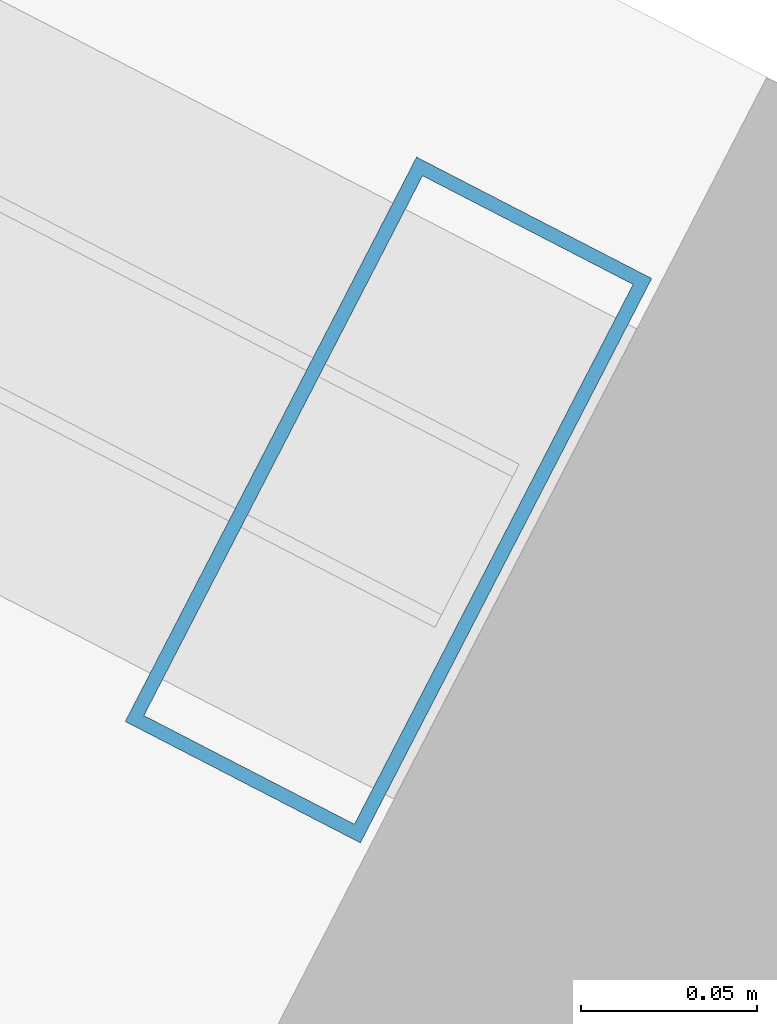
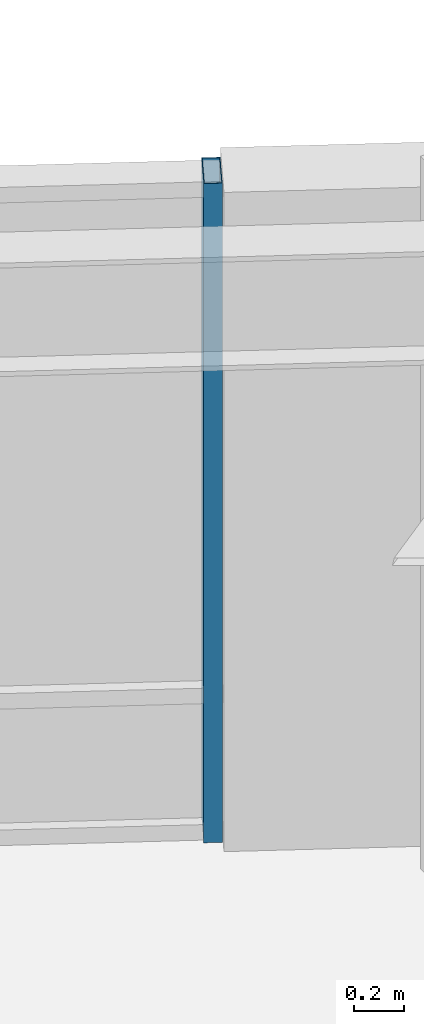
# One storey, part 5 of 12: 1 member, 1 element without a shape of its own.
"""IFC4 building model written with IfcOpenShell, lengths in metres."""

from ifc_helpers import new_model, si_unit, direction, frame, origin, origin_2d, place, context, subcontext, project, spatial, hollow_rectangle, extrude, material, layer, layer_set, material_profile, profile_set, type_object, element, aggregate, save


model = new_model("IFC4")

# Units and contexts
model_context = context("Model", 3, precision=1e-05, world=origin(), true_north=direction((0.0, 1.0)))
body_context = subcontext(model_context, "Body", "Model", "MODEL_VIEW")
ifc_project = project(units=[si_unit("LENGTHUNIT", "METRE"), si_unit("AREAUNIT", "SQUARE_METRE"), si_unit("VOLUMEUNIT", "CUBIC_METRE"), si_unit("PLANEANGLEUNIT", "RADIAN"), si_unit("MASSUNIT", "GRAM", prefix="KILO"), si_unit("THERMODYNAMICTEMPERATUREUNIT", "KELVIN"), si_unit("POWERUNIT", "WATT")], contexts=[model_context])

# Site, building, storey
site_placement = place(None, origin())
site = spatial("IfcSite", under=ifc_project, at=site_placement, CompositionType="ELEMENT")
building_placement = place(site_placement, origin())
building = spatial("IfcBuilding", under=site, at=building_placement, Name="Skarre Station Tower", CompositionType="ELEMENT")
storey_placement = place(building_placement, frame((0.0, 0.0, 163.64990234375)))
storey = spatial("IfcBuildingStorey", under=building, at=storey_placement, Name="L44", CompositionType="ELEMENT", Elevation=163.64990234375)

# Curtain wall, member
ifc_material_1 = material(Name="Thermally Broken Bronze-Anodized Aluminium & Triple Low-E Glass", Category="aluminium")
ifc_layer = layer(ifc_material_1, 0.18994140625, Name="Thermally Broken Bronze-Anodized Aluminium & Triple Low-E Glass")
ifc_layer_set = layer_set([ifc_layer], Name="Thermally Broken Bronze-Anodized Aluminium & Triple Low-E Glass")
curtain_wall_type = type_object("IfcCurtainWallType", Name="Sky-Garden Setback Conservatory Curtain Wall", PredefinedType="NOTDEFINED", material=ifc_layer_set)
curtain_wall_placement = place(storey_placement, origin())
curtain_wall = element("IfcCurtainWall", 1, at=curtain_wall_placement, inside=storey, type_object=curtain_wall_type, Name="L44 Facet 0 Conservatory Curtain Wall", PredefinedType="NOTDEFINED")
ifc_material_2 = material(Name="Anodized Aluminium 6063-T6", Category="aluminium")
ifc_material_profile = material_profile(ifc_material_2, hollow_rectangle(XDim=0.074951171875, YDim=0.179931640625, WallThickness=0.00390625, at=origin_2d()), Name="Anodized Aluminium 6063-T6")
ifc_profile_set = profile_set([ifc_material_profile], Name="Anodized Aluminium 6063-T6")
member_type = type_object("IfcMemberType", Name="Curtain-Wall Unitised Tower Mullion 180x75", PredefinedType="MULLION", material=ifc_profile_set)
member_placement = place(storey_placement, frame((47.569091796875, 37.33203125, 0.0), z_axis=(0.0, 0.0, 1.0), x_axis=(0.888593216602, -0.458696081745, 0.0)))
member = element("IfcMember", 2, at=member_placement, type_object=member_type, Name="L44 Facet 0 Conservatory Curtain Wall Mullion 4", PredefinedType="MULLION", context=body_context, shape_type="SweptSolid", body=[
    extrude(hollow_rectangle(XDim=0.074951171875, YDim=0.179931640625, WallThickness=0.00390625, at=origin_2d()), origin(), (0.0, 0.0, 1.0), 3.190185546875),
])
aggregate(curtain_wall, [member])

save(model, "model.ifc")
